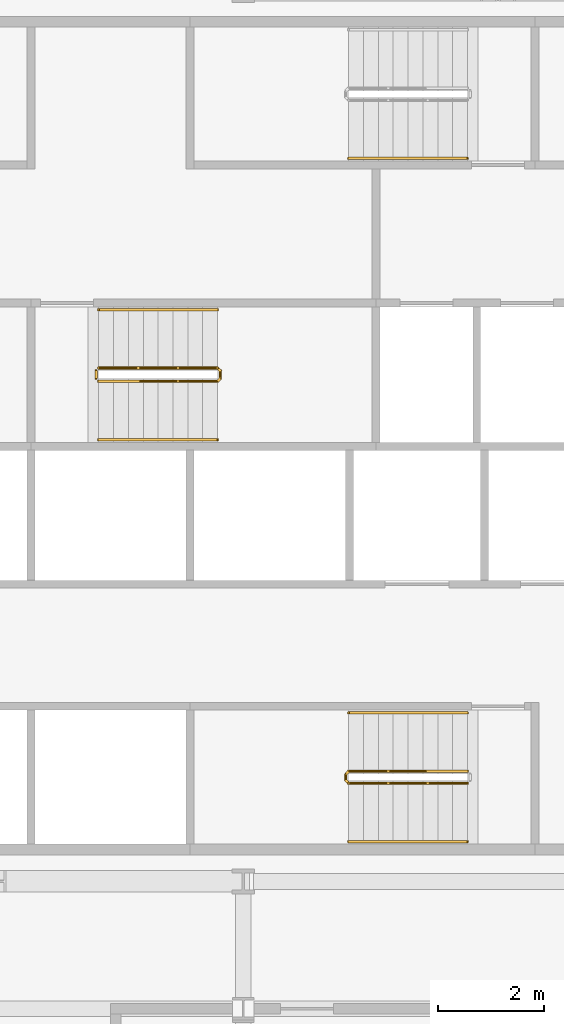
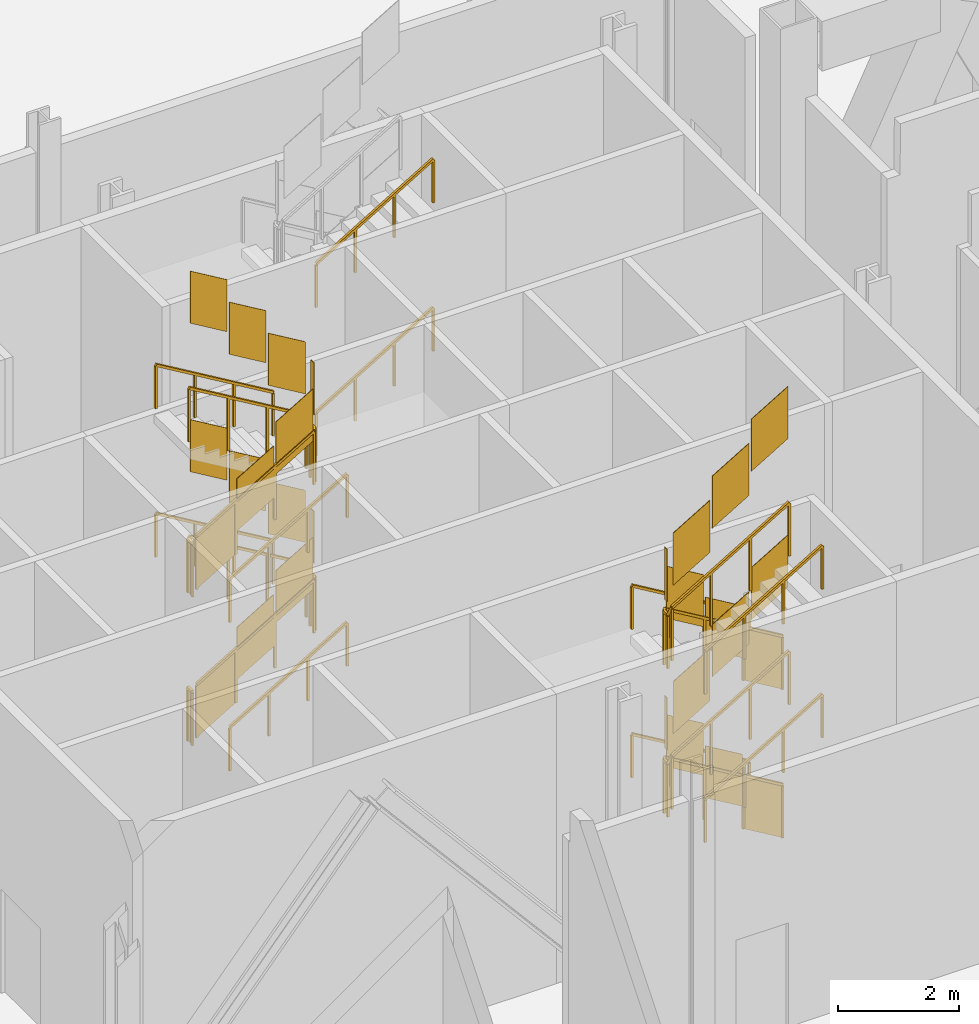
# One storey, part 16 of 17: 16 railings.
"""IFC4 building model written with IfcOpenShell, lengths in metres."""

import ifcopenshell
import ifcopenshell.guid

model = None  # the IFC model being written
_history = None  # IfcOwnerHistory: only IFC2X3 demands one
_inside = {}  # id of a spatial element -> (the spatial element, [elements in it])
_under = {}  # id of a project, library or spatial element -> (it, [spatial elements below it])
_declared = {}  # id of a project -> (the project, [libraries it declares])
_typed = {}  # id of a type object -> (the type object, [elements of that type])
_made_of = {}  # id of a material, layer set ... -> (it, [elements and type objects made of it])


def new_model(schema):
    """Start an empty IFC model of exactly this schema.

    Asked for "IFC4X3", IfcOpenShell would pick the latest addendum, in which some entities
    have other attributes; the version numbers below select the first issue.
    IFC2X3 requires an IfcOwnerHistory on every rooted entity: one is made here for all.
    """
    global model, _history
    if schema == "IFC4X3":
        model = ifcopenshell.file(schema_version=(4, 3, 0, 0))
    else:
        model = ifcopenshell.file(schema=schema)
    _inside.clear()
    _under.clear()
    _declared.clear()
    _typed.clear()
    _made_of.clear()
    _history = None
    if model.schema == "IFC2X3":
        org = make("IfcOrganization", Name="unknown")
        user = make(
            "IfcPersonAndOrganization",
            ThePerson=make("IfcPerson", FamilyName="unknown"),
            TheOrganization=org,
        )
        app = make(
            "IfcApplication",
            ApplicationDeveloper=org,
            Version="unknown",
            ApplicationFullName="unknown",
            ApplicationIdentifier="unknown",
        )
        _history = make(
            "IfcOwnerHistory",
            OwningUser=user,
            OwningApplication=app,
            ChangeAction="ADDED",
            CreationDate=0,
        )
    return model


def make(cls, **values):
    """One entity of the class cls with the attributes given. An attribute that is None is left unset."""
    return model.create_entity(
        cls, **{name: value for name, value in values.items() if value is not None}
    )


def rooted(cls, **values):
    """An entity with a GlobalId (a new one), such as an element, a storey or a relation."""
    return make(cls, GlobalId=ifcopenshell.guid.new(), OwnerHistory=_history, **values)


def si_unit(unit_type, name, prefix=None):
    """IfcSIUnit, for example si_unit("LENGTHUNIT", "METRE", prefix="MILLI")."""
    return make("IfcSIUnit", UnitType=unit_type, Prefix=prefix, Name=name)


def assignment(units):
    """IfcUnitAssignment: the units of a project."""
    return None if units is None else make("IfcUnitAssignment", Units=units)


def point(xyz):
    """IfcCartesianPoint."""
    return None if xyz is None else make("IfcCartesianPoint", Coordinates=xyz)


def direction(xyz):
    """IfcDirection."""
    return None if xyz is None else make("IfcDirection", DirectionRatios=xyz)


def frame(location, z_axis=None, x_axis=None):
    """IfcAxis2Placement3D, a coordinate frame: its origin and axes. An axis left out is left unset."""
    return make(
        "IfcAxis2Placement3D",
        Location=point(location),
        Axis=direction(z_axis),
        RefDirection=direction(x_axis),
    )


def frame_2d(location, x_axis=None):
    """IfcAxis2Placement2D, a coordinate frame in the plane: its origin and x axis."""
    return make(
        "IfcAxis2Placement2D", Location=point(location), RefDirection=direction(x_axis)
    )


def origin():
    """The frame at (0, 0, 0) with its axes left unset."""
    return frame((0.0, 0.0, 0.0))


def origin_2d():
    """The frame at (0, 0) in the plane with its x axis left unset."""
    return frame_2d((0.0, 0.0))


def place(relative_to, where):
    """IfcLocalPlacement: puts the frame where relative to a parent placement (None: the world)."""
    return make(
        "IfcLocalPlacement", PlacementRelTo=relative_to, RelativePlacement=where
    )


def context(
    kind, dimensions, precision=None, world=None, true_north=None, identifier=None
):
    """IfcGeometricRepresentationContext, for example the 3D "Model" context."""
    return make(
        "IfcGeometricRepresentationContext",
        ContextIdentifier=identifier,
        ContextType=kind,
        CoordinateSpaceDimension=dimensions,
        Precision=precision,
        WorldCoordinateSystem=world,
        TrueNorth=true_north,
    )


def subcontext(parent, identifier, kind, view, scale=None):
    """IfcGeometricRepresentationSubContext, for example "Body" below "Model"."""
    return make(
        "IfcGeometricRepresentationSubContext",
        ContextIdentifier=identifier,
        ContextType=kind,
        ParentContext=parent,
        TargetScale=scale,
        TargetView=view,
    )


def project(units=None, contexts=None):
    """IfcProject with its units and contexts."""
    return rooted(
        "IfcProject",
        Name="project",
        RepresentationContexts=contexts,
        UnitsInContext=assignment(units),
    )


def spatial(cls, under=None, at=None, **own):
    """A site, building, storey or space (cls), placed at a placement, below another one or the project."""
    s = rooted(cls, ObjectPlacement=at, **own)
    if under is not None:
        _under.setdefault(under.id(), (under, []))[1].append(s)
    return s


def polyline(points):
    """IfcPolyline through the points."""
    return make("IfcPolyline", Points=[point(p) for p in points])


def profile(cls, at=None, kind="AREA", **sizes):
    """A parametric profile (cls). Its sizes go by their IFC names, for example OverallWidth=200.0."""
    return make(cls, ProfileType=kind, Position=at, **sizes)


def rectangle(**sizes):
    """IfcRectangleProfileDef."""
    return profile("IfcRectangleProfileDef", **sizes)


def outline(outer, holes=None, kind="AREA"):
    """IfcArbitraryClosedProfileDef: a profile drawn as a closed curve; with holes, ...WithVoids."""
    if holes is None:
        return make("IfcArbitraryClosedProfileDef", ProfileType=kind, OuterCurve=outer)
    return make(
        "IfcArbitraryProfileDefWithVoids",
        ProfileType=kind,
        OuterCurve=outer,
        InnerCurves=holes,
    )


def extrude(swept, where, along, depth):
    """IfcExtrudedAreaSolid: the profile swept, set in the frame where, extruded along a direction by depth."""
    return make(
        "IfcExtrudedAreaSolid",
        SweptArea=swept,
        Position=where,
        ExtrudedDirection=direction(along),
        Depth=depth,
    )


def shape(context_of_items, identifier, shape_type, items):
    """IfcShapeRepresentation: the items that make up one representation, for example the "Body"."""
    return make(
        "IfcShapeRepresentation",
        ContextOfItems=context_of_items,
        RepresentationIdentifier=identifier,
        RepresentationType=shape_type,
        Items=items,
    )


def material(Name=None, Category=None):
    """IfcMaterial."""
    return make("IfcMaterial", Name=Name, Category=Category)


def made_of(thing, what):
    """Note that an element or type object is made of a material, layer set ...; save() writes the relation."""
    if what is not None:
        _made_of.setdefault(what.id(), (what, []))[1].append(thing)
    return thing


def type_object(cls, material=None, **own):
    """A type object (cls), such as IfcWallType, which elements share."""
    return made_of(rooted(cls, **own), material)


def element(
    cls,
    number,
    at=None,
    inside=None,
    cuts=None,
    type_object=None,
    material=None,
    context=None,
    identifier="Body",
    shape_type=None,
    held_by="IfcProductDefinitionShape",
    body=None,
    shapes=None,
    **own,
):
    """One element of the class cls, such as IfcWall. Its Tag is "e" and its number.

    at: its placement. inside: the storey or other place that contains it. cuts: it is an
    opening in that element (IfcRelVoidsElement). A single representation is given by context,
    identifier, shape_type and body (its items); several are given by shapes. held_by: the class
    of the entity that holds the representations. save() writes the other relations.
    """
    e = rooted(cls, Tag="e%d" % number, ObjectPlacement=at, **own)
    if body is not None:
        shapes = [shape(context, identifier, shape_type, body)]
    if shapes is not None:
        e.Representation = make(held_by, Representations=shapes)
    if inside is not None:
        _inside.setdefault(inside.id(), (inside, []))[1].append(e)
    if cuts is not None:
        rooted(
            "IfcRelVoidsElement", RelatingBuildingElement=cuts, RelatedOpeningElement=e
        )
    if type_object is not None:
        _typed.setdefault(type_object.id(), (type_object, []))[1].append(e)
    return made_of(e, material)


def aggregate(whole, parts):
    """IfcRelAggregates: a whole, such as a stair, and the parts it consists of."""
    return rooted("IfcRelAggregates", RelatingObject=whole, RelatedObjects=parts)


def save(model, path):
    """Write the relations noted so far, then the file.

    IfcRelAggregates (storeys below a building ...), IfcRelContainedInSpatialStructure (elements
    in a storey), IfcRelDefinesByType, IfcRelAssociatesMaterial and IfcRelDeclares: one each for
    every whole, place, type object, material and project.
    """
    for whole, parts in _under.values():
        aggregate(whole, parts)
    for where, things in _inside.values():
        rooted(
            "IfcRelContainedInSpatialStructure",
            RelatedElements=things,
            RelatingStructure=where,
        )
    for kind, things in _typed.values():
        rooted("IfcRelDefinesByType", RelatedObjects=things, RelatingType=kind)
    for what, things in _made_of.values():
        rooted("IfcRelAssociatesMaterial", RelatedObjects=things, RelatingMaterial=what)
    for by, libraries in _declared.values():
        rooted("IfcRelDeclares", RelatingContext=by, RelatedDefinitions=libraries)
    model.write(path)


model = new_model("IFC4")

# Units and contexts
model_context = context("Model", 3, precision=1e-05, world=origin(), true_north=direction((0.0, 1.0)))
body_context = subcontext(model_context, "Body", "Model", "MODEL_VIEW")
ifc_project = project(units=[si_unit("LENGTHUNIT", "METRE"), si_unit("AREAUNIT", "SQUARE_METRE"), si_unit("VOLUMEUNIT", "CUBIC_METRE"), si_unit("PLANEANGLEUNIT", "RADIAN"), si_unit("MASSUNIT", "GRAM", prefix="KILO")], contexts=[model_context])

# Site, building, storey
site_placement = place(None, origin())
site = spatial("IfcSite", under=ifc_project, at=site_placement, CompositionType="ELEMENT")
building_placement = place(site_placement, origin())
building = spatial("IfcBuilding", under=site, at=building_placement, Name="Cairn Pilgrim Tower", CompositionType="ELEMENT")
storey_placement = place(building_placement, frame((0.0, 0.0, 119.39990234375)))
storey = spatial("IfcBuildingStorey", under=building, at=storey_placement, Name="L29", CompositionType="ELEMENT", Elevation=119.39990234375)

# Railings
ifc_material = material(Name="Painted steel", Category="steel")
railing_type_1 = type_object("IfcRailingType", Name="STAIR GUARD 1100", PredefinedType="GUARDRAIL", material=ifc_material)
railing_1_placement = place(storey_placement, frame((11.425048828125, -3.925048828125, 0.166748046875)))
element("IfcRailing", 1, at=railing_1_placement, inside=storey, type_object=railing_type_1, Name="L29 ST-A stair guard 1", PredefinedType="GUARDRAIL", context=body_context, shape_type="SweptSolid", body=[
    extrude(rectangle(XDim=0.048095703125, YDim=0.048095703125, at=origin_2d()), frame((0.0, 0.0, 1.076171875), z_axis=(-0.859305625298, 0.0, 0.511462454469), x_axis=(0.0, -1.0, 0.0)), (0.0, 0.0, 1.0), 2.606689453125),
    extrude(rectangle(XDim=0.048095703125, YDim=0.048095703125, at=origin_2d()), frame((-2.239990234375, 0.0, 2.4091796875), z_axis=(-0.707106781187, -0.707106781187, 0.0), x_axis=(0.707106781187, -0.707106781187, 0.0)), (0.0, 0.0, 1.0), 0.07080078125),
    extrude(rectangle(XDim=0.048095703125, YDim=0.048095703125, at=origin_2d()), frame((-2.2900390625, -0.050048828125, 2.4091796875), z_axis=(0.0, -1.0, 0.0), x_axis=(1.0, 0.0, 0.0)), (0.0, 0.0, 1.0), 0.125),
    extrude(rectangle(XDim=0.048095703125, YDim=0.048095703125, at=origin_2d()), frame((-2.2900390625, -0.175048828125, 2.4091796875), z_axis=(0.276389281352, -0.275041040955, 0.920848191041), x_axis=(0.705375805398, 0.708833529934, 0.0)), (0.0, 0.0, 1.0), 0.18115234375),
    extrude(rectangle(XDim=0.048095703125, YDim=0.048095703125, at=origin_2d()), frame((-2.239990234375, -0.224853515625, 2.576171875), z_axis=(0.859305625298, 0.0, 0.511462454469), x_axis=(0.0, 1.0, 0.0)), (0.0, 0.0, 1.0), 2.606689453125),
    extrude(rectangle(XDim=0.0419921875, YDim=0.0419921875, at=origin_2d()), origin(), (0.0, 0.0, 1.0), 1.052001953125),
    extrude(rectangle(XDim=0.0419921875, YDim=0.0419921875, at=origin_2d()), frame((-0.74658203125, 0.0, 0.4443359375)), (0.0, 0.0, 1.0), 1.052001953125),
    extrude(rectangle(XDim=0.0419921875, YDim=0.0419921875, at=origin_2d()), frame((-1.493408203125, 0.0, 0.888916015625)), (0.0, 0.0, 1.0), 1.052001953125),
    extrude(rectangle(XDim=0.0419921875, YDim=0.0419921875, at=origin_2d()), frame((-2.239990234375, 0.0, 1.333251953125)), (0.0, 0.0, 1.0), 1.052001953125),
    extrude(rectangle(XDim=0.0419921875, YDim=0.0419921875, at=origin_2d()), frame((-2.2900390625, -0.050048828125, 1.333251953125)), (0.0, 0.0, 1.0), 1.052001953125),
    extrude(rectangle(XDim=0.0419921875, YDim=0.0419921875, at=origin_2d()), frame((-2.2900390625, -0.175048828125, 1.333251953125)), (0.0, 0.0, 1.0), 1.052001953125),
    extrude(rectangle(XDim=0.0419921875, YDim=0.0419921875, at=origin_2d()), frame((-2.239990234375, -0.224853515625, 1.5)), (0.0, 0.0, 1.0), 1.052001953125),
    extrude(rectangle(XDim=0.0419921875, YDim=0.0419921875, at=origin_2d()), frame((-1.493408203125, -0.224853515625, 1.9443359375)), (0.0, 0.0, 1.0), 1.052001953125),
    extrude(rectangle(XDim=0.0419921875, YDim=0.0419921875, at=origin_2d()), frame((-0.74658203125, -0.224853515625, 2.388916015625)), (0.0, 0.0, 1.0), 1.052001953125),
    extrude(rectangle(XDim=0.0419921875, YDim=0.0419921875, at=origin_2d()), frame((0.0, -0.224853515625, 2.833251953125)), (0.0, 0.0, 1.0), 1.052001953125),
    extrude(outline(polyline([(0.02099609375, 0.012451171875), (0.7255859375, 0.431884765625), (0.7255859375, 1.48388671875), (0.02099609375, 1.064453125), (0.02099609375, 0.012451171875)])), frame((0.0, -0.005859375, 0.0), z_axis=(0.0, 1.0, 0.0), x_axis=(-1.0, 0.0, 0.0)), (0.0, 0.0, 1.0), 0.011962890625),
    extrude(outline(polyline([(0.02099609375, 0.45703125), (0.7255859375, 0.876220703125), (0.7255859375, 1.92822265625), (0.02099609375, 1.509033203125), (0.02099609375, 0.45703125)])), frame((-0.74658203125, -0.005859375, 0.4443359375), z_axis=(0.0, 1.0, 0.0), x_axis=(-1.0, 0.0, 0.0)), (0.0, 0.0, 1.0), 0.011962890625),
    extrude(outline(polyline([(0.02099609375, 0.9013671875), (0.7255859375, 1.32080078125), (0.7255859375, 2.372802734375), (0.02099609375, 1.953369140625), (0.02099609375, 0.9013671875)])), frame((-1.493408203125, -0.005859375, 0.888916015625), z_axis=(0.0, 1.0, 0.0), x_axis=(-1.0, 0.0, 0.0)), (0.0, 0.0, 1.0), 0.011962890625),
    extrude(outline(polyline([(0.02099609375, 1.333251953125), (0.10400390625, 1.333251953125), (0.10400390625, 2.38525390625), (0.02099609375, 2.38525390625), (0.02099609375, 1.333251953125)])), frame((-2.2841796875, -0.050048828125, 1.333251953125), z_axis=(-1.0, 0.0, 0.0), x_axis=(0.0, -1.0, 0.0)), (0.0, 0.0, 1.0), 0.011962890625),
    extrude(outline(polyline([(0.02099609375, 1.512451171875), (0.7255859375, 1.931884765625), (0.7255859375, 2.98388671875), (0.02099609375, 2.564453125), (0.02099609375, 1.512451171875)])), frame((-2.239990234375, -0.21875, 1.5), z_axis=(0.0, -1.0, 0.0), x_axis=(1.0, 0.0, 0.0)), (0.0, 0.0, 1.0), 0.011962890625),
    extrude(outline(polyline([(0.02099609375, 1.95703125), (0.7255859375, 2.376220703125), (0.7255859375, 3.42822265625), (0.02099609375, 3.009033203125), (0.02099609375, 1.95703125)])), frame((-1.493408203125, -0.21875, 1.9443359375), z_axis=(0.0, -1.0, 0.0), x_axis=(1.0, 0.0, 0.0)), (0.0, 0.0, 1.0), 0.011962890625),
    extrude(outline(polyline([(0.02099609375, 2.4013671875), (0.7255859375, 2.82080078125), (0.7255859375, 3.872802734375), (0.02099609375, 3.453369140625), (0.02099609375, 2.4013671875)])), frame((-0.74658203125, -0.21875, 2.388916015625), z_axis=(0.0, -1.0, 0.0), x_axis=(1.0, 0.0, 0.0)), (0.0, 0.0, 1.0), 0.011962890625),
])
railing_2_placement = place(storey_placement, frame((11.425048828125, -3.925048828125, 3.166748046875)))
element("IfcRailing", 2, at=railing_2_placement, inside=storey, type_object=railing_type_1, Name="L29 ST-A stair guard 3", PredefinedType="GUARDRAIL", context=body_context, shape_type="SweptSolid", body=[
    extrude(rectangle(XDim=0.048095703125, YDim=0.048095703125, at=origin_2d()), frame((0.0, 0.0, 1.076171875), z_axis=(-0.859305625298, 0.0, 0.511462454469), x_axis=(0.0, -1.0, 0.0)), (0.0, 0.0, 1.0), 2.606689453125),
    extrude(rectangle(XDim=0.048095703125, YDim=0.048095703125, at=origin_2d()), frame((-2.239990234375, 0.0, 2.4091796875), z_axis=(-0.707106781187, -0.707106781187, 0.0), x_axis=(0.707106781187, -0.707106781187, 0.0)), (0.0, 0.0, 1.0), 0.07080078125),
    extrude(rectangle(XDim=0.048095703125, YDim=0.048095703125, at=origin_2d()), frame((-2.2900390625, -0.050048828125, 2.4091796875), z_axis=(0.0, -1.0, 0.0), x_axis=(1.0, 0.0, 0.0)), (0.0, 0.0, 1.0), 0.125),
    extrude(rectangle(XDim=0.048095703125, YDim=0.048095703125, at=origin_2d()), frame((-2.2900390625, -0.175048828125, 2.4091796875), z_axis=(0.276389281352, -0.275041040955, 0.920848191041), x_axis=(0.705375805398, 0.708833529934, 0.0)), (0.0, 0.0, 1.0), 0.18115234375),
    extrude(rectangle(XDim=0.048095703125, YDim=0.048095703125, at=origin_2d()), frame((-2.239990234375, -0.224853515625, 2.576171875), z_axis=(0.859305625298, 0.0, 0.511462454469), x_axis=(0.0, 1.0, 0.0)), (0.0, 0.0, 1.0), 2.606689453125),
    extrude(rectangle(XDim=0.0419921875, YDim=0.0419921875, at=origin_2d()), origin(), (0.0, 0.0, 1.0), 1.052001953125),
    extrude(rectangle(XDim=0.0419921875, YDim=0.0419921875, at=origin_2d()), frame((-0.74658203125, 0.0, 0.4443359375)), (0.0, 0.0, 1.0), 1.052001953125),
    extrude(rectangle(XDim=0.0419921875, YDim=0.0419921875, at=origin_2d()), frame((-1.493408203125, 0.0, 0.888916015625)), (0.0, 0.0, 1.0), 1.052001953125),
    extrude(rectangle(XDim=0.0419921875, YDim=0.0419921875, at=origin_2d()), frame((-2.239990234375, 0.0, 1.333251953125)), (0.0, 0.0, 1.0), 1.052001953125),
    extrude(rectangle(XDim=0.0419921875, YDim=0.0419921875, at=origin_2d()), frame((-2.2900390625, -0.050048828125, 1.333251953125)), (0.0, 0.0, 1.0), 1.052001953125),
    extrude(rectangle(XDim=0.0419921875, YDim=0.0419921875, at=origin_2d()), frame((-2.2900390625, -0.175048828125, 1.333251953125)), (0.0, 0.0, 1.0), 1.052001953125),
    extrude(rectangle(XDim=0.0419921875, YDim=0.0419921875, at=origin_2d()), frame((-2.239990234375, -0.224853515625, 1.5)), (0.0, 0.0, 1.0), 1.052001953125),
    extrude(rectangle(XDim=0.0419921875, YDim=0.0419921875, at=origin_2d()), frame((-1.493408203125, -0.224853515625, 1.9443359375)), (0.0, 0.0, 1.0), 1.052001953125),
    extrude(rectangle(XDim=0.0419921875, YDim=0.0419921875, at=origin_2d()), frame((-0.74658203125, -0.224853515625, 2.388916015625)), (0.0, 0.0, 1.0), 1.052001953125),
    extrude(rectangle(XDim=0.0419921875, YDim=0.0419921875, at=origin_2d()), frame((0.0, -0.224853515625, 2.833251953125)), (0.0, 0.0, 1.0), 1.052001953125),
    extrude(outline(polyline([(0.02099609375, 0.012451171875), (0.7255859375, 0.431884765625), (0.7255859375, 1.48388671875), (0.02099609375, 1.064453125), (0.02099609375, 0.012451171875)])), frame((0.0, -0.005859375, 0.0), z_axis=(0.0, 1.0, 0.0), x_axis=(-1.0, 0.0, 0.0)), (0.0, 0.0, 1.0), 0.011962890625),
    extrude(outline(polyline([(0.02099609375, 0.45703125), (0.7255859375, 0.876220703125), (0.7255859375, 1.92822265625), (0.02099609375, 1.509033203125), (0.02099609375, 0.45703125)])), frame((-0.74658203125, -0.005859375, 0.4443359375), z_axis=(0.0, 1.0, 0.0), x_axis=(-1.0, 0.0, 0.0)), (0.0, 0.0, 1.0), 0.011962890625),
    extrude(outline(polyline([(0.02099609375, 0.9013671875), (0.7255859375, 1.32080078125), (0.7255859375, 2.372802734375), (0.02099609375, 1.953369140625), (0.02099609375, 0.9013671875)])), frame((-1.493408203125, -0.005859375, 0.888916015625), z_axis=(0.0, 1.0, 0.0), x_axis=(-1.0, 0.0, 0.0)), (0.0, 0.0, 1.0), 0.011962890625),
    extrude(outline(polyline([(0.02099609375, 1.333251953125), (0.10400390625, 1.333251953125), (0.10400390625, 2.38525390625), (0.02099609375, 2.38525390625), (0.02099609375, 1.333251953125)])), frame((-2.2841796875, -0.050048828125, 1.333251953125), z_axis=(-1.0, 0.0, 0.0), x_axis=(0.0, -1.0, 0.0)), (0.0, 0.0, 1.0), 0.011962890625),
    extrude(outline(polyline([(0.02099609375, 1.512451171875), (0.7255859375, 1.931884765625), (0.7255859375, 2.98388671875), (0.02099609375, 2.564453125), (0.02099609375, 1.512451171875)])), frame((-2.239990234375, -0.21875, 1.5), z_axis=(0.0, -1.0, 0.0), x_axis=(1.0, 0.0, 0.0)), (0.0, 0.0, 1.0), 0.011962890625),
    extrude(outline(polyline([(0.02099609375, 1.95703125), (0.7255859375, 2.376220703125), (0.7255859375, 3.42822265625), (0.02099609375, 3.009033203125), (0.02099609375, 1.95703125)])), frame((-1.493408203125, -0.21875, 1.9443359375), z_axis=(0.0, -1.0, 0.0), x_axis=(1.0, 0.0, 0.0)), (0.0, 0.0, 1.0), 0.011962890625),
    extrude(outline(polyline([(0.02099609375, 2.4013671875), (0.7255859375, 2.82080078125), (0.7255859375, 3.872802734375), (0.02099609375, 3.453369140625), (0.02099609375, 2.4013671875)])), frame((-0.74658203125, -0.21875, 2.388916015625), z_axis=(0.0, -1.0, 0.0), x_axis=(1.0, 0.0, 0.0)), (0.0, 0.0, 1.0), 0.011962890625),
])
railing_3_placement = place(storey_placement, frame((4.47509765625, 3.425048828125, 0.166748046875)))
element("IfcRailing", 3, at=railing_3_placement, inside=storey, type_object=railing_type_1, Name="L29 ST-B stair guard 1", PredefinedType="GUARDRAIL", context=body_context, shape_type="SweptSolid", body=[
    extrude(rectangle(XDim=0.048095703125, YDim=0.048095703125, at=origin_2d()), frame((0.0, 0.0, 1.076171875), z_axis=(0.859305625298, 0.0, 0.511462454469), x_axis=(0.0, 1.0, 0.0)), (0.0, 0.0, 1.0), 2.606689453125),
    extrude(rectangle(XDim=0.048095703125, YDim=0.048095703125, at=origin_2d()), frame((2.239990234375, 0.0, 2.4091796875), z_axis=(0.705375805398, 0.708833529934, 0.0), x_axis=(-0.708833529934, 0.705375805398, 0.0)), (0.0, 0.0, 1.0), 0.070556640625),
    extrude(rectangle(XDim=0.048095703125, YDim=0.048095703125, at=origin_2d()), frame((2.289794921875, 0.050048828125, 2.4091796875), z_axis=(0.0, 1.0, 0.0), x_axis=(-1.0, 0.0, 0.0)), (0.0, 0.0, 1.0), 0.14990234375),
    extrude(rectangle(XDim=0.048095703125, YDim=0.048095703125, at=origin_2d()), frame((2.289794921875, 0.199951171875, 2.4091796875), z_axis=(-0.275041040955, 0.276389281352, 0.920848191041), x_axis=(-0.708833529934, -0.705375805398, 0.0)), (0.0, 0.0, 1.0), 0.18115234375),
    extrude(rectangle(XDim=0.048095703125, YDim=0.048095703125, at=origin_2d()), frame((2.239990234375, 0.25, 2.576171875), z_axis=(-0.859305625298, 0.0, 0.511462454469), x_axis=(0.0, -1.0, 0.0)), (0.0, 0.0, 1.0), 2.606689453125),
    extrude(rectangle(XDim=0.0419921875, YDim=0.0419921875, at=origin_2d()), origin(), (0.0, 0.0, 1.0), 1.052001953125),
    extrude(rectangle(XDim=0.0419921875, YDim=0.0419921875, at=origin_2d()), frame((0.74658203125, 0.0, 0.4443359375)), (0.0, 0.0, 1.0), 1.052001953125),
    extrude(rectangle(XDim=0.0419921875, YDim=0.0419921875, at=origin_2d()), frame((1.493408203125, 0.0, 0.888916015625)), (0.0, 0.0, 1.0), 1.052001953125),
    extrude(rectangle(XDim=0.0419921875, YDim=0.0419921875, at=origin_2d()), frame((2.239990234375, 0.0, 1.333251953125)), (0.0, 0.0, 1.0), 1.052001953125),
    extrude(rectangle(XDim=0.0419921875, YDim=0.0419921875, at=origin_2d()), frame((2.289794921875, 0.050048828125, 1.333251953125)), (0.0, 0.0, 1.0), 1.052001953125),
    extrude(rectangle(XDim=0.0419921875, YDim=0.0419921875, at=origin_2d()), frame((2.289794921875, 0.199951171875, 1.333251953125)), (0.0, 0.0, 1.0), 1.052001953125),
    extrude(rectangle(XDim=0.0419921875, YDim=0.0419921875, at=origin_2d()), frame((2.239990234375, 0.25, 1.5)), (0.0, 0.0, 1.0), 1.052001953125),
    extrude(rectangle(XDim=0.0419921875, YDim=0.0419921875, at=origin_2d()), frame((1.493408203125, 0.25, 1.9443359375)), (0.0, 0.0, 1.0), 1.052001953125),
    extrude(rectangle(XDim=0.0419921875, YDim=0.0419921875, at=origin_2d()), frame((0.74658203125, 0.25, 2.388916015625)), (0.0, 0.0, 1.0), 1.052001953125),
    extrude(rectangle(XDim=0.0419921875, YDim=0.0419921875, at=origin_2d()), frame((0.0, 0.25, 2.833251953125)), (0.0, 0.0, 1.0), 1.052001953125),
    extrude(outline(polyline([(0.02099609375, 0.012451171875), (0.7255859375, 0.431884765625), (0.7255859375, 1.48388671875), (0.02099609375, 1.064453125), (0.02099609375, 0.012451171875)])), frame((0.0, 0.005859375, 0.0), z_axis=(0.0, -1.0, 0.0), x_axis=(1.0, 0.0, 0.0)), (0.0, 0.0, 1.0), 0.011962890625),
    extrude(outline(polyline([(0.02099609375, 0.45703125), (0.7255859375, 0.876220703125), (0.7255859375, 1.92822265625), (0.02099609375, 1.509033203125), (0.02099609375, 0.45703125)])), frame((0.74658203125, 0.005859375, 0.4443359375), z_axis=(0.0, -1.0, 0.0), x_axis=(1.0, 0.0, 0.0)), (0.0, 0.0, 1.0), 0.011962890625),
    extrude(outline(polyline([(0.02099609375, 0.9013671875), (0.7255859375, 1.32080078125), (0.7255859375, 2.372802734375), (0.02099609375, 1.953369140625), (0.02099609375, 0.9013671875)])), frame((1.493408203125, 0.005859375, 0.888916015625), z_axis=(0.0, -1.0, 0.0), x_axis=(1.0, 0.0, 0.0)), (0.0, 0.0, 1.0), 0.011962890625),
    extrude(outline(polyline([(0.02099609375, 1.333251953125), (0.12890625, 1.333251953125), (0.12890625, 2.38525390625), (0.02099609375, 2.38525390625), (0.02099609375, 1.333251953125)])), frame((2.28369140625, 0.050048828125, 1.333251953125), z_axis=(1.0, 0.0, 0.0), x_axis=(0.0, 1.0, 0.0)), (0.0, 0.0, 1.0), 0.011962890625),
    extrude(outline(polyline([(0.02099609375, 1.512451171875), (0.7255859375, 1.931884765625), (0.7255859375, 2.98388671875), (0.02099609375, 2.564453125), (0.02099609375, 1.512451171875)])), frame((2.239990234375, 0.244140625, 1.5), z_axis=(0.0, 1.0, 0.0), x_axis=(-1.0, 0.0, 0.0)), (0.0, 0.0, 1.0), 0.011962890625),
    extrude(outline(polyline([(0.02099609375, 1.95703125), (0.7255859375, 2.376220703125), (0.7255859375, 3.42822265625), (0.02099609375, 3.009033203125), (0.02099609375, 1.95703125)])), frame((1.493408203125, 0.244140625, 1.9443359375), z_axis=(0.0, 1.0, 0.0), x_axis=(-1.0, 0.0, 0.0)), (0.0, 0.0, 1.0), 0.011962890625),
    extrude(outline(polyline([(0.02099609375, 2.4013671875), (0.7255859375, 2.82080078125), (0.7255859375, 3.872802734375), (0.02099609375, 3.453369140625), (0.02099609375, 2.4013671875)])), frame((0.74658203125, 0.244140625, 2.388916015625), z_axis=(0.0, 1.0, 0.0), x_axis=(-1.0, 0.0, 0.0)), (0.0, 0.0, 1.0), 0.011962890625),
])
railing_4_placement = place(storey_placement, frame((4.425048828125, 3.47509765625, 3.0)))
element("IfcRailing", 4, at=railing_4_placement, inside=storey, type_object=railing_type_1, Name="L29 ST-B stair guard 2", PredefinedType="GUARDRAIL", context=body_context, shape_type="SweptSolid", body=[
    extrude(rectangle(XDim=0.048095703125, YDim=0.048095703125, at=origin_2d()), frame((0.0, 0.0, 1.076171875), z_axis=(0.0, 1.0, 0.0), x_axis=(-1.0, 0.0, 0.0)), (0.0, 0.0, 1.0), 0.14990234375),
    extrude(rectangle(XDim=0.0419921875, YDim=0.0419921875, at=origin_2d()), origin(), (0.0, 0.0, 1.0), 1.052001953125),
    extrude(rectangle(XDim=0.0419921875, YDim=0.0419921875, at=origin_2d()), frame((0.0, 0.14990234375, 0.0)), (0.0, 0.0, 1.0), 1.052001953125),
    extrude(outline(polyline([(0.02099609375, 0.0), (0.12890625, 0.0), (0.12890625, 1.052001953125), (0.02099609375, 1.052001953125), (0.02099609375, 0.0)])), frame((-0.005859375, 0.0, 0.0), z_axis=(1.0, 0.0, 0.0), x_axis=(0.0, 1.0, 0.0)), (0.0, 0.0, 1.0), 0.011962890625),
])
railing_5_placement = place(storey_placement, frame((4.47509765625, 3.425048828125, 3.166748046875)))
element("IfcRailing", 5, at=railing_5_placement, inside=storey, type_object=railing_type_1, Name="L29 ST-B stair guard 3", PredefinedType="GUARDRAIL", context=body_context, shape_type="SweptSolid", body=[
    extrude(rectangle(XDim=0.048095703125, YDim=0.048095703125, at=origin_2d()), frame((0.0, 0.0, 1.076171875), z_axis=(0.859305625298, 0.0, 0.511462454469), x_axis=(0.0, 1.0, 0.0)), (0.0, 0.0, 1.0), 2.606689453125),
    extrude(rectangle(XDim=0.048095703125, YDim=0.048095703125, at=origin_2d()), frame((2.239990234375, 0.0, 2.4091796875), z_axis=(0.705375805398, 0.708833529934, 0.0), x_axis=(-0.708833529934, 0.705375805398, 0.0)), (0.0, 0.0, 1.0), 0.070556640625),
    extrude(rectangle(XDim=0.048095703125, YDim=0.048095703125, at=origin_2d()), frame((2.289794921875, 0.050048828125, 2.4091796875), z_axis=(0.0, 1.0, 0.0), x_axis=(-1.0, 0.0, 0.0)), (0.0, 0.0, 1.0), 0.14990234375),
    extrude(rectangle(XDim=0.048095703125, YDim=0.048095703125, at=origin_2d()), frame((2.289794921875, 0.199951171875, 2.4091796875), z_axis=(-0.275041040955, 0.276389281352, 0.920848191041), x_axis=(-0.708833529934, -0.705375805398, 0.0)), (0.0, 0.0, 1.0), 0.18115234375),
    extrude(rectangle(XDim=0.048095703125, YDim=0.048095703125, at=origin_2d()), frame((2.239990234375, 0.25, 2.576171875), z_axis=(-0.859305625298, 0.0, 0.511462454469), x_axis=(0.0, -1.0, 0.0)), (0.0, 0.0, 1.0), 2.606689453125),
    extrude(rectangle(XDim=0.0419921875, YDim=0.0419921875, at=origin_2d()), origin(), (0.0, 0.0, 1.0), 1.052001953125),
    extrude(rectangle(XDim=0.0419921875, YDim=0.0419921875, at=origin_2d()), frame((0.74658203125, 0.0, 0.4443359375)), (0.0, 0.0, 1.0), 1.052001953125),
    extrude(rectangle(XDim=0.0419921875, YDim=0.0419921875, at=origin_2d()), frame((1.493408203125, 0.0, 0.888916015625)), (0.0, 0.0, 1.0), 1.052001953125),
    extrude(rectangle(XDim=0.0419921875, YDim=0.0419921875, at=origin_2d()), frame((2.239990234375, 0.0, 1.333251953125)), (0.0, 0.0, 1.0), 1.052001953125),
    extrude(rectangle(XDim=0.0419921875, YDim=0.0419921875, at=origin_2d()), frame((2.289794921875, 0.050048828125, 1.333251953125)), (0.0, 0.0, 1.0), 1.052001953125),
    extrude(rectangle(XDim=0.0419921875, YDim=0.0419921875, at=origin_2d()), frame((2.289794921875, 0.199951171875, 1.333251953125)), (0.0, 0.0, 1.0), 1.052001953125),
    extrude(rectangle(XDim=0.0419921875, YDim=0.0419921875, at=origin_2d()), frame((2.239990234375, 0.25, 1.5)), (0.0, 0.0, 1.0), 1.052001953125),
    extrude(rectangle(XDim=0.0419921875, YDim=0.0419921875, at=origin_2d()), frame((1.493408203125, 0.25, 1.9443359375)), (0.0, 0.0, 1.0), 1.052001953125),
    extrude(rectangle(XDim=0.0419921875, YDim=0.0419921875, at=origin_2d()), frame((0.74658203125, 0.25, 2.388916015625)), (0.0, 0.0, 1.0), 1.052001953125),
    extrude(rectangle(XDim=0.0419921875, YDim=0.0419921875, at=origin_2d()), frame((0.0, 0.25, 2.833251953125)), (0.0, 0.0, 1.0), 1.052001953125),
    extrude(outline(polyline([(0.02099609375, 0.012451171875), (0.7255859375, 0.431884765625), (0.7255859375, 1.48388671875), (0.02099609375, 1.064453125), (0.02099609375, 0.012451171875)])), frame((0.0, 0.005859375, 0.0), z_axis=(0.0, -1.0, 0.0), x_axis=(1.0, 0.0, 0.0)), (0.0, 0.0, 1.0), 0.011962890625),
    extrude(outline(polyline([(0.02099609375, 0.45703125), (0.7255859375, 0.876220703125), (0.7255859375, 1.92822265625), (0.02099609375, 1.509033203125), (0.02099609375, 0.45703125)])), frame((0.74658203125, 0.005859375, 0.4443359375), z_axis=(0.0, -1.0, 0.0), x_axis=(1.0, 0.0, 0.0)), (0.0, 0.0, 1.0), 0.011962890625),
    extrude(outline(polyline([(0.02099609375, 0.9013671875), (0.7255859375, 1.32080078125), (0.7255859375, 2.372802734375), (0.02099609375, 1.953369140625), (0.02099609375, 0.9013671875)])), frame((1.493408203125, 0.005859375, 0.888916015625), z_axis=(0.0, -1.0, 0.0), x_axis=(1.0, 0.0, 0.0)), (0.0, 0.0, 1.0), 0.011962890625),
    extrude(outline(polyline([(0.02099609375, 1.333251953125), (0.12890625, 1.333251953125), (0.12890625, 2.38525390625), (0.02099609375, 2.38525390625), (0.02099609375, 1.333251953125)])), frame((2.28369140625, 0.050048828125, 1.333251953125), z_axis=(1.0, 0.0, 0.0), x_axis=(0.0, 1.0, 0.0)), (0.0, 0.0, 1.0), 0.011962890625),
    extrude(outline(polyline([(0.02099609375, 1.512451171875), (0.7255859375, 1.931884765625), (0.7255859375, 2.98388671875), (0.02099609375, 2.564453125), (0.02099609375, 1.512451171875)])), frame((2.239990234375, 0.244140625, 1.5), z_axis=(0.0, 1.0, 0.0), x_axis=(-1.0, 0.0, 0.0)), (0.0, 0.0, 1.0), 0.011962890625),
    extrude(outline(polyline([(0.02099609375, 1.95703125), (0.7255859375, 2.376220703125), (0.7255859375, 3.42822265625), (0.02099609375, 3.009033203125), (0.02099609375, 1.95703125)])), frame((1.493408203125, 0.244140625, 1.9443359375), z_axis=(0.0, 1.0, 0.0), x_axis=(-1.0, 0.0, 0.0)), (0.0, 0.0, 1.0), 0.011962890625),
    extrude(outline(polyline([(0.02099609375, 2.4013671875), (0.7255859375, 2.82080078125), (0.7255859375, 3.872802734375), (0.02099609375, 3.453369140625), (0.02099609375, 2.4013671875)])), frame((0.74658203125, 0.244140625, 2.388916015625), z_axis=(0.0, 1.0, 0.0), x_axis=(-1.0, 0.0, 0.0)), (0.0, 0.0, 1.0), 0.011962890625),
])
railing_6_placement = place(storey_placement, frame((4.425048828125, 3.47509765625, 0.0)))
element("IfcRailing", 6, at=railing_6_placement, inside=storey, type_object=railing_type_1, Name="L29 ST-B stair guard 4", PredefinedType="GUARDRAIL", context=body_context, shape_type="SweptSolid", body=[
    extrude(rectangle(XDim=0.048095703125, YDim=0.048095703125, at=origin_2d()), frame((0.0, 0.0, 1.076171875), z_axis=(0.0, 1.0, 0.0), x_axis=(-1.0, 0.0, 0.0)), (0.0, 0.0, 1.0), 0.14990234375),
    extrude(rectangle(XDim=0.0419921875, YDim=0.0419921875, at=origin_2d()), origin(), (0.0, 0.0, 1.0), 1.052001953125),
    extrude(rectangle(XDim=0.0419921875, YDim=0.0419921875, at=origin_2d()), frame((0.0, 0.14990234375, 0.0)), (0.0, 0.0, 1.0), 1.052001953125),
    extrude(outline(polyline([(0.02099609375, 0.0), (0.12890625, 0.0), (0.12890625, 1.052001953125), (0.02099609375, 1.052001953125), (0.02099609375, 0.0)])), frame((-0.005859375, 0.0, 0.0), z_axis=(1.0, 0.0, 0.0), x_axis=(0.0, 1.0, 0.0)), (0.0, 0.0, 1.0), 0.011962890625),
])
railing_type_2 = type_object("IfcRailingType", Name="STAIR HANDRAIL 900", PredefinedType="HANDRAIL", material=ifc_material)
railing_7_placement = place(storey_placement, frame((11.425048828125, -2.824951171875, 0.166748046875)))
element("IfcRailing", 7, at=railing_7_placement, inside=storey, type_object=railing_type_2, Name="L29 ST-A stair handrail 1", PredefinedType="HANDRAIL", context=body_context, shape_type="SweptSolid", body=[
    extrude(rectangle(XDim=0.048095703125, YDim=0.048095703125, at=origin_2d()), frame((0.0, 0.0, 0.8759765625), z_axis=(-0.859305625298, 0.0, 0.511462454469), x_axis=(0.0, -1.0, 0.0)), (0.0, 0.0, 1.0), 2.606689453125),
    extrude(rectangle(XDim=0.0419921875, YDim=0.0419921875, at=origin_2d()), origin(), (0.0, 0.0, 1.0), 0.851806640625),
    extrude(rectangle(XDim=0.0419921875, YDim=0.0419921875, at=origin_2d()), frame((-0.74658203125, 0.0, 0.4443359375)), (0.0, 0.0, 1.0), 0.851806640625),
    extrude(rectangle(XDim=0.0419921875, YDim=0.0419921875, at=origin_2d()), frame((-1.493408203125, 0.0, 0.888916015625)), (0.0, 0.0, 1.0), 0.851806640625),
    extrude(rectangle(XDim=0.0419921875, YDim=0.0419921875, at=origin_2d()), frame((-2.239990234375, 0.0, 1.333251953125)), (0.0, 0.0, 1.0), 0.851806640625),
])
railing_8_placement = place(storey_placement, frame((9.18505859375, -5.25, 1.666748046875)))
element("IfcRailing", 8, at=railing_8_placement, inside=storey, type_object=railing_type_2, Name="L29 ST-A stair handrail 2", PredefinedType="HANDRAIL", context=body_context, shape_type="SweptSolid", body=[
    extrude(rectangle(XDim=0.048095703125, YDim=0.048095703125, at=origin_2d()), frame((0.0, 0.0, 0.8759765625), z_axis=(0.859305625298, 0.0, 0.511462454469), x_axis=(0.0, 1.0, 0.0)), (0.0, 0.0, 1.0), 2.606689453125),
    extrude(rectangle(XDim=0.0419921875, YDim=0.0419921875, at=origin_2d()), origin(), (0.0, 0.0, 1.0), 0.851806640625),
    extrude(rectangle(XDim=0.0419921875, YDim=0.0419921875, at=origin_2d()), frame((0.74658203125, 0.0, 0.4443359375)), (0.0, 0.0, 1.0), 0.851806640625),
    extrude(rectangle(XDim=0.0419921875, YDim=0.0419921875, at=origin_2d()), frame((1.493408203125, 0.0, 0.888916015625)), (0.0, 0.0, 1.0), 0.851806640625),
    extrude(rectangle(XDim=0.0419921875, YDim=0.0419921875, at=origin_2d()), frame((2.239990234375, 0.0, 1.333251953125)), (0.0, 0.0, 1.0), 0.851806640625),
])
railing_9_placement = place(storey_placement, frame((11.425048828125, -2.824951171875, 3.166748046875)))
element("IfcRailing", 9, at=railing_9_placement, inside=storey, type_object=railing_type_2, Name="L29 ST-A stair handrail 3", PredefinedType="HANDRAIL", context=body_context, shape_type="SweptSolid", body=[
    extrude(rectangle(XDim=0.048095703125, YDim=0.048095703125, at=origin_2d()), frame((0.0, 0.0, 0.8759765625), z_axis=(-0.859305625298, 0.0, 0.511462454469), x_axis=(0.0, -1.0, 0.0)), (0.0, 0.0, 1.0), 2.606689453125),
    extrude(rectangle(XDim=0.0419921875, YDim=0.0419921875, at=origin_2d()), origin(), (0.0, 0.0, 1.0), 0.851806640625),
    extrude(rectangle(XDim=0.0419921875, YDim=0.0419921875, at=origin_2d()), frame((-0.74658203125, 0.0, 0.4443359375)), (0.0, 0.0, 1.0), 0.851806640625),
    extrude(rectangle(XDim=0.0419921875, YDim=0.0419921875, at=origin_2d()), frame((-1.493408203125, 0.0, 0.888916015625)), (0.0, 0.0, 1.0), 0.851806640625),
    extrude(rectangle(XDim=0.0419921875, YDim=0.0419921875, at=origin_2d()), frame((-2.239990234375, 0.0, 1.333251953125)), (0.0, 0.0, 1.0), 0.851806640625),
])
for number, where, name in (
    (10, (9.18505859375, -5.25, 4.666748046875), "L29 ST-A stair handrail 4"),
    (11, (4.47509765625, 2.324951171875, 0.166748046875), "L29 ST-B stair handrail 1"),
):
    element("IfcRailing", number, at=place(storey_placement, frame(where)), inside=storey, type_object=railing_type_2, Name=name, PredefinedType="HANDRAIL", context=body_context, shape_type="SweptSolid", body=[
        extrude(rectangle(XDim=0.048095703125, YDim=0.048095703125, at=origin_2d()), frame((0.0, 0.0, 0.8759765625), z_axis=(0.859305625298, 0.0, 0.511462454469), x_axis=(0.0, 1.0, 0.0)), (0.0, 0.0, 1.0), 2.606689453125),
        extrude(rectangle(XDim=0.0419921875, YDim=0.0419921875, at=origin_2d()), origin(), (0.0, 0.0, 1.0), 0.851806640625),
        extrude(rectangle(XDim=0.0419921875, YDim=0.0419921875, at=origin_2d()), frame((0.74658203125, 0.0, 0.4443359375)), (0.0, 0.0, 1.0), 0.851806640625),
        extrude(rectangle(XDim=0.0419921875, YDim=0.0419921875, at=origin_2d()), frame((1.493408203125, 0.0, 0.888916015625)), (0.0, 0.0, 1.0), 0.851806640625),
        extrude(rectangle(XDim=0.0419921875, YDim=0.0419921875, at=origin_2d()), frame((2.239990234375, 0.0, 1.333251953125)), (0.0, 0.0, 1.0), 0.851806640625),
    ])
railing_10_placement = place(storey_placement, frame((6.715087890625, 4.77490234375, 1.666748046875)))
element("IfcRailing", 12, at=railing_10_placement, inside=storey, type_object=railing_type_2, Name="L29 ST-B stair handrail 2", PredefinedType="HANDRAIL", context=body_context, shape_type="SweptSolid", body=[
    extrude(rectangle(XDim=0.048095703125, YDim=0.048095703125, at=origin_2d()), frame((0.0, 0.0, 0.8759765625), z_axis=(-0.859305625298, 0.0, 0.511462454469), x_axis=(0.0, -1.0, 0.0)), (0.0, 0.0, 1.0), 2.606689453125),
    extrude(rectangle(XDim=0.0419921875, YDim=0.0419921875, at=origin_2d()), origin(), (0.0, 0.0, 1.0), 0.851806640625),
    extrude(rectangle(XDim=0.0419921875, YDim=0.0419921875, at=origin_2d()), frame((-0.74658203125, 0.0, 0.4443359375)), (0.0, 0.0, 1.0), 0.851806640625),
    extrude(rectangle(XDim=0.0419921875, YDim=0.0419921875, at=origin_2d()), frame((-1.493408203125, 0.0, 0.888916015625)), (0.0, 0.0, 1.0), 0.851806640625),
    extrude(rectangle(XDim=0.0419921875, YDim=0.0419921875, at=origin_2d()), frame((-2.239990234375, 0.0, 1.333251953125)), (0.0, 0.0, 1.0), 0.851806640625),
])
railing_11_placement = place(storey_placement, frame((4.47509765625, 2.324951171875, 3.166748046875)))
element("IfcRailing", 13, at=railing_11_placement, inside=storey, type_object=railing_type_2, Name="L29 ST-B stair handrail 3", PredefinedType="HANDRAIL", context=body_context, shape_type="SweptSolid", body=[
    extrude(rectangle(XDim=0.048095703125, YDim=0.048095703125, at=origin_2d()), frame((0.0, 0.0, 0.8759765625), z_axis=(0.859305625298, 0.0, 0.511462454469), x_axis=(0.0, 1.0, 0.0)), (0.0, 0.0, 1.0), 2.606689453125),
    extrude(rectangle(XDim=0.0419921875, YDim=0.0419921875, at=origin_2d()), origin(), (0.0, 0.0, 1.0), 0.851806640625),
    extrude(rectangle(XDim=0.0419921875, YDim=0.0419921875, at=origin_2d()), frame((0.74658203125, 0.0, 0.4443359375)), (0.0, 0.0, 1.0), 0.851806640625),
    extrude(rectangle(XDim=0.0419921875, YDim=0.0419921875, at=origin_2d()), frame((1.493408203125, 0.0, 0.888916015625)), (0.0, 0.0, 1.0), 0.851806640625),
    extrude(rectangle(XDim=0.0419921875, YDim=0.0419921875, at=origin_2d()), frame((2.239990234375, 0.0, 1.333251953125)), (0.0, 0.0, 1.0), 0.851806640625),
])
railing_12_placement = place(storey_placement, frame((6.715087890625, 4.77490234375, 4.666748046875)))
element("IfcRailing", 14, at=railing_12_placement, inside=storey, type_object=railing_type_2, Name="L29 ST-B stair handrail 4", PredefinedType="HANDRAIL", context=body_context, shape_type="SweptSolid", body=[
    extrude(rectangle(XDim=0.048095703125, YDim=0.048095703125, at=origin_2d()), frame((0.0, 0.0, 0.8759765625), z_axis=(-0.859305625298, 0.0, 0.511462454469), x_axis=(0.0, -1.0, 0.0)), (0.0, 0.0, 1.0), 2.606689453125),
    extrude(rectangle(XDim=0.0419921875, YDim=0.0419921875, at=origin_2d()), origin(), (0.0, 0.0, 1.0), 0.851806640625),
    extrude(rectangle(XDim=0.0419921875, YDim=0.0419921875, at=origin_2d()), frame((-0.74658203125, 0.0, 0.4443359375)), (0.0, 0.0, 1.0), 0.851806640625),
    extrude(rectangle(XDim=0.0419921875, YDim=0.0419921875, at=origin_2d()), frame((-1.493408203125, 0.0, 0.888916015625)), (0.0, 0.0, 1.0), 0.851806640625),
    extrude(rectangle(XDim=0.0419921875, YDim=0.0419921875, at=origin_2d()), frame((-2.239990234375, 0.0, 1.333251953125)), (0.0, 0.0, 1.0), 0.851806640625),
])
for number, where, name in (
    (15, (9.18505859375, 7.625, 1.666748046875), "L29 ST-C stair handrail 2"),
    (16, (9.18505859375, 7.625, 4.666748046875), "L29 ST-C stair handrail 4"),
):
    element("IfcRailing", number, at=place(storey_placement, frame(where)), inside=storey, type_object=railing_type_2, Name=name, PredefinedType="HANDRAIL", context=body_context, shape_type="SweptSolid", body=[
        extrude(rectangle(XDim=0.048095703125, YDim=0.048095703125, at=origin_2d()), frame((0.0, 0.0, 0.8759765625), z_axis=(0.859305625298, 0.0, 0.511462454469), x_axis=(0.0, 1.0, 0.0)), (0.0, 0.0, 1.0), 2.606689453125),
        extrude(rectangle(XDim=0.0419921875, YDim=0.0419921875, at=origin_2d()), origin(), (0.0, 0.0, 1.0), 0.851806640625),
        extrude(rectangle(XDim=0.0419921875, YDim=0.0419921875, at=origin_2d()), frame((0.74658203125, 0.0, 0.4443359375)), (0.0, 0.0, 1.0), 0.851806640625),
        extrude(rectangle(XDim=0.0419921875, YDim=0.0419921875, at=origin_2d()), frame((1.493408203125, 0.0, 0.888916015625)), (0.0, 0.0, 1.0), 0.851806640625),
        extrude(rectangle(XDim=0.0419921875, YDim=0.0419921875, at=origin_2d()), frame((2.239990234375, 0.0, 1.333251953125)), (0.0, 0.0, 1.0), 0.851806640625),
    ])

save(model, "model.ifc")
